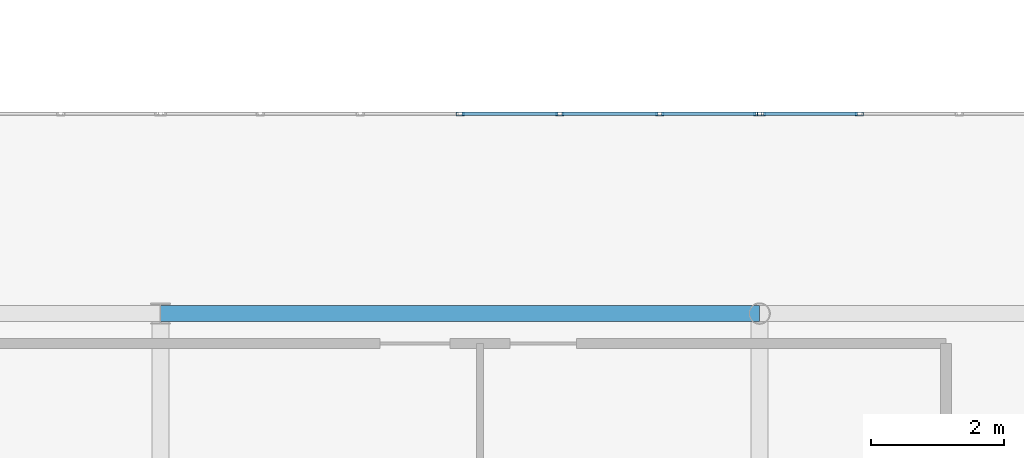
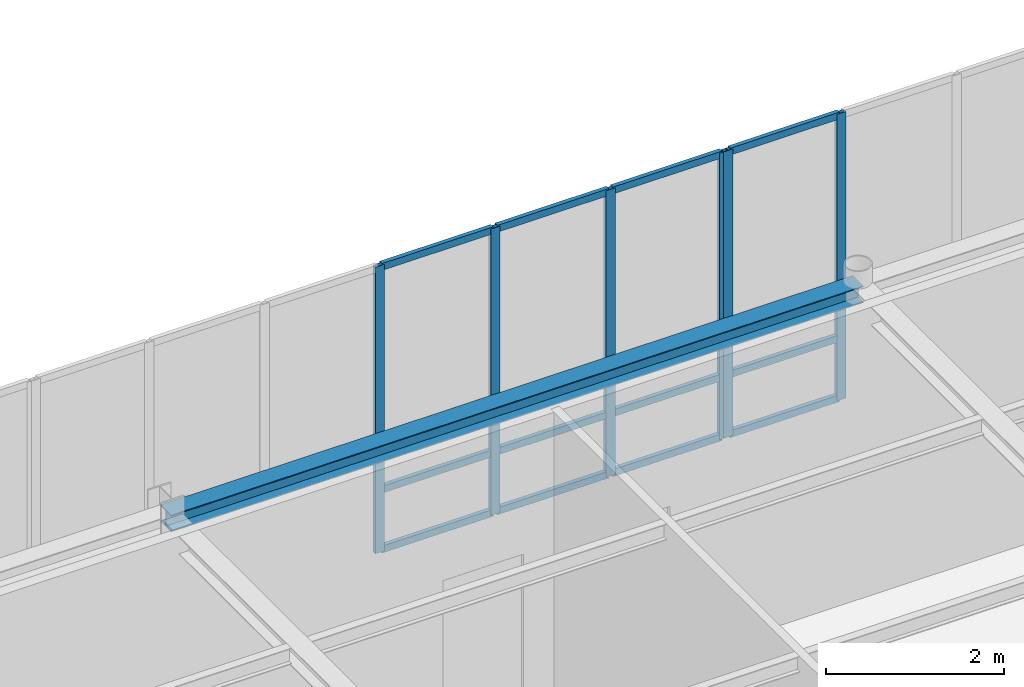
# One storey, part 16 of 36: 18 members, 1 beam, 2 elements without a shape of their own.
"""IFC4 building model written with IfcOpenShell, lengths in metres."""

from ifc_helpers import new_model, si_unit, direction, frame, origin, origin_2d, place, context, subcontext, project, spatial, hollow_rectangle, i_section, extrude, material, material_profile, profile_set, type_object, element, aggregate, save


model = new_model("IFC4")

# Units and contexts
model_context = context("Model", 3, precision=1e-05, world=origin(), true_north=direction((0.0, 1.0)))
body_context = subcontext(model_context, "Body", "Model", "MODEL_VIEW")
ifc_project = project(units=[si_unit("LENGTHUNIT", "METRE"), si_unit("AREAUNIT", "SQUARE_METRE"), si_unit("VOLUMEUNIT", "CUBIC_METRE"), si_unit("PLANEANGLEUNIT", "RADIAN"), si_unit("MASSUNIT", "GRAM", prefix="KILO")], contexts=[model_context])

# Site, building, storey
site_placement = place(None, origin())
site = spatial("IfcSite", under=ifc_project, at=site_placement, CompositionType="ELEMENT")
building_placement = place(site_placement, origin())
building = spatial("IfcBuilding", under=site, at=building_placement, Name="Lykobir Media Centre", CompositionType="ELEMENT")
storey_placement = place(building_placement, frame((0.0, 0.0, 27.60009765625)))
storey = spatial("IfcBuildingStorey", under=building, at=storey_placement, Name="L06", CompositionType="ELEMENT", Elevation=27.60009765625)

# Curtain wall, members
ifc_material_1 = material(Name="Anodized Aluminium AW-6060", Category="aluminium")
curtain_wall_type = type_object("IfcCurtainWallType", Name="CW-COURT-B", PredefinedType="NOTDEFINED", material=ifc_material_1)
curtain_wall_1_placement = place(storey_placement, origin())
curtain_wall_1 = element("IfcCurtainWall", 1, at=curtain_wall_1_placement, inside=storey, type_object=curtain_wall_type, Name="Curtain wall CW2-L06-0208", PredefinedType="NOTDEFINED")
ifc_material_profile_1 = material_profile(ifc_material_1, hollow_rectangle(XDim=0.054931640625, YDim=0.1201171875, WallThickness=0.003173828125, at=origin_2d()), Name="ALU MULLION 55x120")
ifc_profile_set_1 = profile_set([ifc_material_profile_1], Name="Anodized Aluminium AW-6060")
member_type_1 = type_object("IfcMemberType", Name="CWM-120", PredefinedType="MULLION", material=ifc_profile_set_1)
member_1_placement = place(storey_placement, frame((58.5, 21.0, 0.0), z_axis=(0.0, 0.0, 1.0), x_axis=(0.0, 1.0, 0.0)))
member_1 = element("IfcMember", 2, at=member_1_placement, type_object=member_type_1, Name="CW2-L06-0208 mullion 4", PredefinedType="MULLION", context=body_context, shape_type="SweptSolid", body=[
    extrude(hollow_rectangle(XDim=0.054931640625, YDim=0.1201171875, WallThickness=0.003173828125, at=origin_2d()), origin(), (0.0, 0.0, 1.0), 3.93994140625),
])
member_2_placement = place(storey_placement, frame((60.0, 21.0, 0.0), z_axis=(0.0, 0.0, 1.0), x_axis=(0.0, 1.0, 0.0)))
member_2 = element("IfcMember", 3, at=member_2_placement, type_object=member_type_1, Name="CW2-L06-0208 mullion 5", PredefinedType="MULLION", context=body_context, shape_type="SweptSolid", body=[
    extrude(hollow_rectangle(XDim=0.054931640625, YDim=0.1201171875, WallThickness=0.003173828125, at=origin_2d()), origin(), (0.0, 0.0, 1.0), 3.93994140625),
])
member_3_placement = place(storey_placement, frame((61.5, 21.0, 0.0), z_axis=(0.0, 0.0, 1.0), x_axis=(0.0, 1.0, 0.0)))
member_3 = element("IfcMember", 4, at=member_3_placement, type_object=member_type_1, Name="CW2-L06-0208 mullion 6", PredefinedType="MULLION", context=body_context, shape_type="SweptSolid", body=[
    extrude(hollow_rectangle(XDim=0.054931640625, YDim=0.1201171875, WallThickness=0.003173828125, at=origin_2d()), origin(), (0.0, 0.0, 1.0), 3.93994140625),
])
member_4_placement = place(storey_placement, frame((62.972412109375, 21.0, 0.0), z_axis=(0.0, 0.0, 1.0), x_axis=(0.0, 1.0, 0.0)))
member_4 = element("IfcMember", 5, at=member_4_placement, type_object=member_type_1, Name="CW2-L06-0208 mullion 7", PredefinedType="MULLION", context=body_context, shape_type="SweptSolid", body=[
    extrude(hollow_rectangle(XDim=0.054931640625, YDim=0.1201171875, WallThickness=0.003173828125, at=origin_2d()), origin(), (0.0, 0.0, 1.0), 3.93994140625),
])

curtain_wall_2_placement = place(storey_placement, origin())
curtain_wall_2 = element("IfcCurtainWall", 6, at=curtain_wall_2_placement, inside=storey, type_object=curtain_wall_type, Name="Curtain wall CW2-L06-0209", PredefinedType="NOTDEFINED")
member_5_placement = place(storey_placement, frame((63.027587890625, 21.0, 0.0), z_axis=(0.0, 0.0, 1.0), x_axis=(0.0, 1.0, 0.0)))
member_5 = element("IfcMember", 7, at=member_5_placement, type_object=member_type_1, Name="CW2-L06-0209 mullion 1", PredefinedType="MULLION", context=body_context, shape_type="SweptSolid", body=[
    extrude(hollow_rectangle(XDim=0.054931640625, YDim=0.1201171875, WallThickness=0.003173828125, at=origin_2d()), origin(), (0.0, 0.0, 1.0), 3.93994140625),
])
member_6_placement = place(storey_placement, frame((64.5, 21.0, 0.0), z_axis=(0.0, 0.0, 1.0), x_axis=(0.0, 1.0, 0.0)))
member_6 = element("IfcMember", 8, at=member_6_placement, type_object=member_type_1, Name="CW2-L06-0209 mullion 2", PredefinedType="MULLION", context=body_context, shape_type="SweptSolid", body=[
    extrude(hollow_rectangle(XDim=0.054931640625, YDim=0.1201171875, WallThickness=0.003173828125, at=origin_2d()), origin(), (0.0, 0.0, 1.0), 3.93994140625),
])

# Member
ifc_material_profile_2 = material_profile(ifc_material_1, hollow_rectangle(XDim=0.054931640625, YDim=0.094970703125, WallThickness=0.0029296875, at=origin_2d()), Name="ALU TRANSOM 55x95")
ifc_profile_set_2 = profile_set([ifc_material_profile_2], Name="Anodized Aluminium AW-6060")
member_type_2 = type_object("IfcMemberType", Name="CWT-095", PredefinedType="USERDEFINED", material=ifc_profile_set_2)
member_7_placement = place(storey_placement, frame((58.527587890625, 21.0, 0.02734375), z_axis=(1.0, 0.0, 0.0), x_axis=(0.0, 1.0, 0.0)))
member_7 = element("IfcMember", 9, at=member_7_placement, type_object=member_type_2, Name="CW2-L06-0208 transom 4.1", ObjectType="TRANSOM", PredefinedType="USERDEFINED", context=body_context, shape_type="SweptSolid", body=[
    extrude(hollow_rectangle(XDim=0.054931640625, YDim=0.094970703125, WallThickness=0.0029296875, at=origin_2d()), origin(), (0.0, 0.0, 1.0), 1.44482421875),
])

member_8_placement = place(storey_placement, frame((58.527587890625, 21.0, 0.849853515625), z_axis=(1.0, 0.0, 0.0), x_axis=(0.0, 1.0, 0.0)))
member_8 = element("IfcMember", 10, at=member_8_placement, type_object=member_type_2, Name="CW2-L06-0208 transom 4.2", ObjectType="TRANSOM", PredefinedType="USERDEFINED", context=body_context, shape_type="SweptSolid", body=[
    extrude(hollow_rectangle(XDim=0.054931640625, YDim=0.094970703125, WallThickness=0.0029296875, at=origin_2d()), origin(), (0.0, 0.0, 1.0), 1.44482421875),
])

member_9_placement = place(storey_placement, frame((58.527587890625, 21.0, 3.912353515625), z_axis=(1.0, 0.0, 0.0), x_axis=(0.0, 1.0, 0.0)))
member_9 = element("IfcMember", 11, at=member_9_placement, type_object=member_type_2, Name="CW2-L06-0208 transom 4.3", ObjectType="TRANSOM", PredefinedType="USERDEFINED", context=body_context, shape_type="SweptSolid", body=[
    extrude(hollow_rectangle(XDim=0.054931640625, YDim=0.094970703125, WallThickness=0.0029296875, at=origin_2d()), origin(), (0.0, 0.0, 1.0), 1.44482421875),
])

member_10_placement = place(storey_placement, frame((60.027587890625, 21.0, 0.02734375), z_axis=(1.0, 0.0, 0.0), x_axis=(0.0, 1.0, 0.0)))
member_10 = element("IfcMember", 12, at=member_10_placement, type_object=member_type_2, Name="CW2-L06-0208 transom 5.1", ObjectType="TRANSOM", PredefinedType="USERDEFINED", context=body_context, shape_type="SweptSolid", body=[
    extrude(hollow_rectangle(XDim=0.054931640625, YDim=0.094970703125, WallThickness=0.0029296875, at=origin_2d()), origin(), (0.0, 0.0, 1.0), 1.44482421875),
])

member_11_placement = place(storey_placement, frame((60.027587890625, 21.0, 0.849853515625), z_axis=(1.0, 0.0, 0.0), x_axis=(0.0, 1.0, 0.0)))
member_11 = element("IfcMember", 13, at=member_11_placement, type_object=member_type_2, Name="CW2-L06-0208 transom 5.2", ObjectType="TRANSOM", PredefinedType="USERDEFINED", context=body_context, shape_type="SweptSolid", body=[
    extrude(hollow_rectangle(XDim=0.054931640625, YDim=0.094970703125, WallThickness=0.0029296875, at=origin_2d()), origin(), (0.0, 0.0, 1.0), 1.44482421875),
])

member_12_placement = place(storey_placement, frame((60.027587890625, 21.0, 3.912353515625), z_axis=(1.0, 0.0, 0.0), x_axis=(0.0, 1.0, 0.0)))
member_12 = element("IfcMember", 14, at=member_12_placement, type_object=member_type_2, Name="CW2-L06-0208 transom 5.3", ObjectType="TRANSOM", PredefinedType="USERDEFINED", context=body_context, shape_type="SweptSolid", body=[
    extrude(hollow_rectangle(XDim=0.054931640625, YDim=0.094970703125, WallThickness=0.0029296875, at=origin_2d()), origin(), (0.0, 0.0, 1.0), 1.44482421875),
])

member_13_placement = place(storey_placement, frame((61.527587890625, 21.0, 0.02734375), z_axis=(1.0, 0.0, 0.0), x_axis=(0.0, 1.0, 0.0)))
member_13 = element("IfcMember", 15, at=member_13_placement, type_object=member_type_2, Name="CW2-L06-0208 transom 6.1", ObjectType="TRANSOM", PredefinedType="USERDEFINED", context=body_context, shape_type="SweptSolid", body=[
    extrude(hollow_rectangle(XDim=0.054931640625, YDim=0.094970703125, WallThickness=0.0029296875, at=origin_2d()), origin(), (0.0, 0.0, 1.0), 1.41748046875),
])

member_14_placement = place(storey_placement, frame((61.527587890625, 21.0, 0.849853515625), z_axis=(1.0, 0.0, 0.0), x_axis=(0.0, 1.0, 0.0)))
member_14 = element("IfcMember", 16, at=member_14_placement, type_object=member_type_2, Name="CW2-L06-0208 transom 6.2", ObjectType="TRANSOM", PredefinedType="USERDEFINED", context=body_context, shape_type="SweptSolid", body=[
    extrude(hollow_rectangle(XDim=0.054931640625, YDim=0.094970703125, WallThickness=0.0029296875, at=origin_2d()), origin(), (0.0, 0.0, 1.0), 1.41748046875),
])

member_15_placement = place(storey_placement, frame((61.527587890625, 21.0, 3.912353515625), z_axis=(1.0, 0.0, 0.0), x_axis=(0.0, 1.0, 0.0)))
member_15 = element("IfcMember", 17, at=member_15_placement, type_object=member_type_2, Name="CW2-L06-0208 transom 6.3", ObjectType="TRANSOM", PredefinedType="USERDEFINED", context=body_context, shape_type="SweptSolid", body=[
    extrude(hollow_rectangle(XDim=0.054931640625, YDim=0.094970703125, WallThickness=0.0029296875, at=origin_2d()), origin(), (0.0, 0.0, 1.0), 1.41748046875),
])

aggregate(curtain_wall_1, [member_1, member_2, member_3, member_4, member_7, member_8, member_9, member_10, member_11, member_12, member_13, member_14, member_15])

member_16_placement = place(storey_placement, frame((63.054931640625, 21.0, 0.02734375), z_axis=(1.0, 0.0, 0.0), x_axis=(0.0, 1.0, 0.0)))
member_16 = element("IfcMember", 18, at=member_16_placement, type_object=member_type_2, Name="CW2-L06-0209 transom 1.1", ObjectType="TRANSOM", PredefinedType="USERDEFINED", context=body_context, shape_type="SweptSolid", body=[
    extrude(hollow_rectangle(XDim=0.054931640625, YDim=0.094970703125, WallThickness=0.0029296875, at=origin_2d()), origin(), (0.0, 0.0, 1.0), 1.41748046875),
])

member_17_placement = place(storey_placement, frame((63.054931640625, 21.0, 0.849853515625), z_axis=(1.0, 0.0, 0.0), x_axis=(0.0, 1.0, 0.0)))
member_17 = element("IfcMember", 19, at=member_17_placement, type_object=member_type_2, Name="CW2-L06-0209 transom 1.2", ObjectType="TRANSOM", PredefinedType="USERDEFINED", context=body_context, shape_type="SweptSolid", body=[
    extrude(hollow_rectangle(XDim=0.054931640625, YDim=0.094970703125, WallThickness=0.0029296875, at=origin_2d()), origin(), (0.0, 0.0, 1.0), 1.41748046875),
])

member_18_placement = place(storey_placement, frame((63.054931640625, 21.0, 3.912353515625), z_axis=(1.0, 0.0, 0.0), x_axis=(0.0, 1.0, 0.0)))
member_18 = element("IfcMember", 20, at=member_18_placement, type_object=member_type_2, Name="CW2-L06-0209 transom 1.3", ObjectType="TRANSOM", PredefinedType="USERDEFINED", context=body_context, shape_type="SweptSolid", body=[
    extrude(hollow_rectangle(XDim=0.054931640625, YDim=0.094970703125, WallThickness=0.0029296875, at=origin_2d()), origin(), (0.0, 0.0, 1.0), 1.41748046875),
])

aggregate(curtain_wall_2, [member_5, member_6, member_16, member_17, member_18])

# Beam
ifc_material_2 = material(Name="Steel S355", Category="steel")
ifc_material_profile_3 = material_profile(ifc_material_2, i_section(OverallWidth=0.239990234375, OverallDepth=0.22998046875, WebThickness=0.007568359375, FlangeThickness=0.011962890625, at=origin_2d()), Name="HEA 240")
ifc_profile_set_3 = profile_set([ifc_material_profile_3], Name="Steel S355")
beam_type = type_object("IfcBeamType", Name="SP-HEA240", PredefinedType="SPANDREL", material=ifc_profile_set_3)
beam_placement = place(storey_placement, frame((54.0, 18.0, 3.844970703125), z_axis=(1.0, 0.0, 0.0), x_axis=(0.0, 1.0, 0.0)))
element("IfcBeam", 21, at=beam_placement, inside=storey, type_object=beam_type, Name="Beam BM-L06-0540-0180-0630-0180-3144", PredefinedType="SPANDREL", context=body_context, shape_type="SweptSolid", body=[
    extrude(i_section(OverallWidth=0.239990234375, OverallDepth=0.22998046875, WebThickness=0.007568359375, FlangeThickness=0.011962890625, at=origin_2d()), origin(), (0.0, 0.0, 1.0), 9.0),
])

save(model, "model.ifc")
